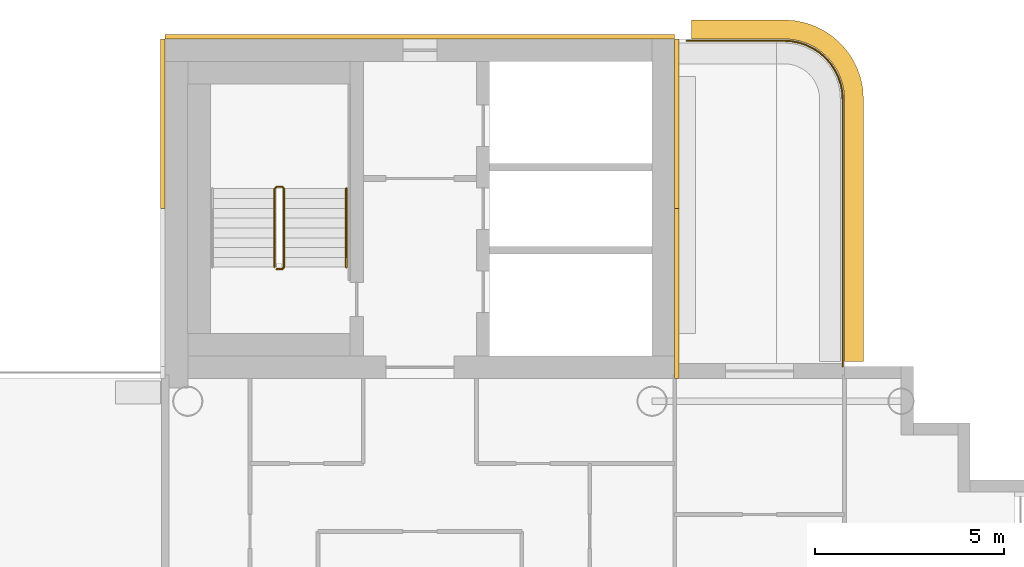
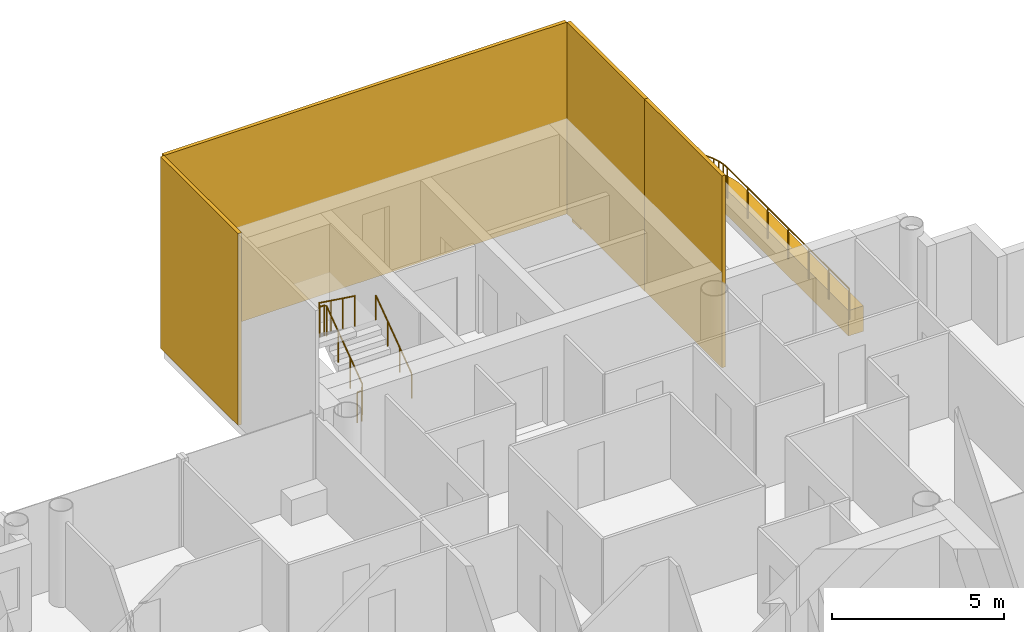
# One storey, part 17 of 18: 5 coverings, 3 railings.
"""IFC4 building model written with IfcOpenShell, lengths in metres."""

from ifc_helpers import new_model, si_unit, direction, frame, origin, origin_2d, place, context, subcontext, project, spatial, polyline, rectangle, circle, outline, extrude, material, layer, layer_set, type_object, element, save


model = new_model("IFC4")

# Units and contexts
model_context = context("Model", 3, precision=1e-05, world=origin(), true_north=direction((0.0, 1.0)))
body_context = subcontext(model_context, "Body", "Model", "MODEL_VIEW")
ifc_project = project(units=[si_unit("LENGTHUNIT", "METRE"), si_unit("AREAUNIT", "SQUARE_METRE"), si_unit("VOLUMEUNIT", "CUBIC_METRE"), si_unit("PLANEANGLEUNIT", "RADIAN"), si_unit("MASSUNIT", "GRAM", prefix="KILO")], contexts=[model_context])

# Site, building, storey
site_placement = place(None, origin())
site = spatial("IfcSite", under=ifc_project, at=site_placement, CompositionType="ELEMENT")
building_placement = place(site_placement, origin())
building = spatial("IfcBuilding", under=site, at=building_placement, Name="Ipe Terrace Towers", CompositionType="ELEMENT")
storey_placement = place(building_placement, frame((0.0, 0.0, 219.800048828125)))
storey = spatial("IfcBuildingStorey", under=building, at=storey_placement, Name="L61", CompositionType="ELEMENT", Elevation=219.800048828125)

# Railing
ifc_material_1 = material(Name="Stainless steel S316", Category="steel")
railing_type_1 = type_object("IfcRailingType", Name="GUARD 1100", PredefinedType="BALUSTRADE", material=ifc_material_1)
railing_1_placement = place(storey_placement, frame((47.199951171875, 7.070068359375, -0.02001953125)))
element("IfcRailing", 1, at=railing_1_placement, inside=storey, type_object=railing_type_1, Name="guard", PredefinedType="BALUSTRADE", context=body_context, shape_type="SweptSolid", body=[
    extrude(circle(Radius=0.02392578125, at=origin_2d()), frame((0.0, 0.0, 1.076171875), z_axis=(0.0, 1.0, 0.0), x_axis=(-1.0, 0.0, 0.0)), (0.0, 0.0, 1.0), 7.077880859375),
    extrude(circle(Radius=0.02392578125, at=origin_2d()), frame((0.0, 7.077880859375, 1.076171875), z_axis=(-0.063270109204, 0.997996439513, 0.0), x_axis=(-0.997996439513, -0.063270109204, 0.0)), (0.0, 0.0, 1.0), 0.20458984375),
    extrude(circle(Radius=0.02392578125, at=origin_2d()), frame((-0.012939453125, 7.281982421875, 1.076171875), z_axis=(-0.197272615832, 0.980348670139, 0.0), x_axis=(-0.980348670139, -0.197272615832, 0.0)), (0.0, 0.0, 1.0), 0.202880859375),
    extrude(circle(Radius=0.02392578125, at=origin_2d()), frame((-0.052978515625, 7.48095703125, 1.076171875), z_axis=(-0.320562904618, 0.947227229435, 0.0), x_axis=(-0.947227229435, -0.320562904618, 0.0)), (0.0, 0.0, 1.0), 0.20263671875),
    extrude(circle(Radius=0.02392578125, at=origin_2d()), frame((-0.117919921875, 7.6728515625, 1.076171875), z_axis=(-0.443364567466, 0.896341374877, 0.0), x_axis=(-0.896341374877, -0.443364567466, 0.0)), (0.0, 0.0, 1.0), 0.203125),
    extrude(circle(Radius=0.02392578125, at=origin_2d()), frame((-0.2080078125, 7.85498046875, 1.076171875), z_axis=(-0.552753344103, 0.833344910936, 0.0), x_axis=(-0.833344910936, -0.552753344103, 0.0)), (0.0, 0.0, 1.0), 0.20263671875),
    extrude(circle(Radius=0.02392578125, at=origin_2d()), frame((-0.320068359375, 8.02392578125, 1.076171875), z_axis=(-0.660464863827, 0.750856952854, 0.0), x_axis=(-0.750856952854, -0.660464863827, 0.0)), (0.0, 0.0, 1.0), 0.20263671875),
    extrude(circle(Radius=0.02392578125, at=origin_2d()), frame((-0.453857421875, 8.176025390625, 1.076171875), z_axis=(-0.750856952854, 0.660464863827, 0.0), x_axis=(-0.660464863827, -0.750856952854, 0.0)), (0.0, 0.0, 1.0), 0.20263671875),
    extrude(circle(Radius=0.02392578125, at=origin_2d()), frame((-0.60595703125, 8.309814453125, 1.076171875), z_axis=(-0.833344910936, 0.552753344103, 0.0), x_axis=(-0.552753344103, -0.833344910936, 0.0)), (0.0, 0.0, 1.0), 0.20263671875),
    extrude(circle(Radius=0.02392578125, at=origin_2d()), frame((-0.77490234375, 8.421875, 1.076171875), z_axis=(-0.896341374877, 0.443364567466, 0.0), x_axis=(-0.443364567466, -0.896341374877, 0.0)), (0.0, 0.0, 1.0), 0.203125),
    extrude(circle(Radius=0.02392578125, at=origin_2d()), frame((-0.95703125, 8.511962890625, 1.076171875), z_axis=(-0.947227229435, 0.320562904618, 0.0), x_axis=(-0.320562904618, -0.947227229435, 0.0)), (0.0, 0.0, 1.0), 0.20263671875),
    extrude(circle(Radius=0.02392578125, at=origin_2d()), frame((-1.14892578125, 8.576904296875, 1.076171875), z_axis=(-0.980348670139, 0.197272615832, 0.0), x_axis=(-0.197272615832, -0.980348670139, 0.0)), (0.0, 0.0, 1.0), 0.202880859375),
    extrude(circle(Radius=0.02392578125, at=origin_2d()), frame((-1.347900390625, 8.616943359375, 1.076171875), z_axis=(-0.997996439513, 0.063270109204, 0.0), x_axis=(-0.063270109204, -0.997996439513, 0.0)), (0.0, 0.0, 1.0), 0.20458984375),
    extrude(circle(Radius=0.02392578125, at=origin_2d()), frame((-1.552001953125, 8.6298828125, 1.076171875), z_axis=(-1.0, 0.0, 0.0), x_axis=(0.0, -1.0, 0.0)), (0.0, 0.0, 1.0), 2.577880859375),
    extrude(circle(Radius=0.02099609375, at=origin_2d()), origin(), (0.0, 0.0, 1.0), 1.052001953125),
    extrude(circle(Radius=0.02099609375, at=origin_2d()), frame((0.0, 1.1796875, 0.0)), (0.0, 0.0, 1.0), 1.052001953125),
    extrude(circle(Radius=0.02099609375, at=origin_2d()), frame((0.0, 2.359375, 0.0)), (0.0, 0.0, 1.0), 1.052001953125),
    extrude(circle(Radius=0.02099609375, at=origin_2d()), frame((0.0, 3.5390625, 0.0)), (0.0, 0.0, 1.0), 1.052001953125),
    extrude(circle(Radius=0.02099609375, at=origin_2d()), frame((0.0, 4.718505859375, 0.0)), (0.0, 0.0, 1.0), 1.052001953125),
    extrude(circle(Radius=0.02099609375, at=origin_2d()), frame((0.0, 5.898193359375, 0.0)), (0.0, 0.0, 1.0), 1.052001953125),
    extrude(circle(Radius=0.02099609375, at=origin_2d()), frame((0.0, 7.077880859375, 0.0)), (0.0, 0.0, 1.0), 1.052001953125),
    extrude(circle(Radius=0.02099609375, at=origin_2d()), frame((-0.012939453125, 7.281982421875, 0.0)), (0.0, 0.0, 1.0), 1.052001953125),
    extrude(circle(Radius=0.02099609375, at=origin_2d()), frame((-0.052978515625, 7.48095703125, 0.0)), (0.0, 0.0, 1.0), 1.052001953125),
    extrude(circle(Radius=0.02099609375, at=origin_2d()), frame((-0.117919921875, 7.6728515625, 0.0)), (0.0, 0.0, 1.0), 1.052001953125),
    extrude(circle(Radius=0.02099609375, at=origin_2d()), frame((-0.2080078125, 7.85498046875, 0.0)), (0.0, 0.0, 1.0), 1.052001953125),
    extrude(circle(Radius=0.02099609375, at=origin_2d()), frame((-0.320068359375, 8.02392578125, 0.0)), (0.0, 0.0, 1.0), 1.052001953125),
    extrude(circle(Radius=0.02099609375, at=origin_2d()), frame((-0.453857421875, 8.176025390625, 0.0)), (0.0, 0.0, 1.0), 1.052001953125),
    extrude(circle(Radius=0.02099609375, at=origin_2d()), frame((-0.60595703125, 8.309814453125, 0.0)), (0.0, 0.0, 1.0), 1.052001953125),
    extrude(circle(Radius=0.02099609375, at=origin_2d()), frame((-0.77490234375, 8.421875, 0.0)), (0.0, 0.0, 1.0), 1.052001953125),
    extrude(circle(Radius=0.02099609375, at=origin_2d()), frame((-0.95703125, 8.511962890625, 0.0)), (0.0, 0.0, 1.0), 1.052001953125),
    extrude(circle(Radius=0.02099609375, at=origin_2d()), frame((-1.14892578125, 8.576904296875, 0.0)), (0.0, 0.0, 1.0), 1.052001953125),
    extrude(circle(Radius=0.02099609375, at=origin_2d()), frame((-1.347900390625, 8.616943359375, 0.0)), (0.0, 0.0, 1.0), 1.052001953125),
    extrude(circle(Radius=0.02099609375, at=origin_2d()), frame((-1.552001953125, 8.6298828125, 0.0)), (0.0, 0.0, 1.0), 1.052001953125),
    extrude(circle(Radius=0.02099609375, at=origin_2d()), frame((-2.411376953125, 8.6298828125, 0.0)), (0.0, 0.0, 1.0), 1.052001953125),
    extrude(circle(Radius=0.02099609375, at=origin_2d()), frame((-3.2705078125, 8.6298828125, 0.0)), (0.0, 0.0, 1.0), 1.052001953125),
    extrude(circle(Radius=0.02099609375, at=origin_2d()), frame((-4.1298828125, 8.6298828125, 0.0)), (0.0, 0.0, 1.0), 1.052001953125),
])

# Coverings
ifc_material_2 = material(Name="Concrete C50/60 precast, buff finish", Category="concrete")
ifc_layer_1 = layer(ifc_material_2, 0.1201171875)
ifc_layer_set_1 = layer_set([ifc_layer_1], Name="STONE CORE CLADDING 120")
covering_type_1 = type_object("IfcCoveringType", Name="STONE CORE CLADDING 120", PredefinedType="CLADDING", material=ifc_layer_set_1)
for number, where, z_axis, x_axis, name in (
    (2, (29.18994140625, 13.5, 0.0), (0.0, 0.0, 1.0), (0.0, -1.0, 0.0), "stone core cladding"),
    (3, (42.81005859375, 9.0, 0.0), (0.0, 0.0, 1.0), (0.0, 1.0, 0.0), "stone core cladding"),
    (4, (42.81005859375, 13.5, 0.0), (0.0, 0.0, 1.0), (0.0, 1.0, 0.0), "stone core cladding"),
):
    element("IfcCovering", number, at=place(storey_placement, frame(where, z_axis=z_axis, x_axis=x_axis)), inside=storey, type_object=covering_type_1, Name=name, PredefinedType="CLADDING", context=body_context, shape_type="SweptSolid", body=[
        extrude(rectangle(XDim=4.5, YDim=0.1201171875, at=origin_2d()), origin(), (0.0, 0.0, 1.0), 6.800048828125),
    ])
covering_1_placement = place(storey_placement, frame((36.0, 15.81005859375, 0.0), z_axis=(0.0, 0.0, 1.0), x_axis=(-1.0, 0.0, 0.0)))
element("IfcCovering", 5, at=covering_1_placement, inside=storey, type_object=covering_type_1, Name="stone core cladding", PredefinedType="CLADDING", context=body_context, shape_type="SweptSolid", body=[
    extrude(rectangle(XDim=13.5, YDim=0.1201171875, at=origin_2d()), origin(), (0.0, 0.0, 1.0), 6.800048828125),
])
ifc_material_3 = material(Name="Concrete C50/60 precast, buff finish", Category="concrete")
ifc_layer_2 = layer(ifc_material_3, 0.5)
ifc_layer_set_2 = layer_set([ifc_layer_2], Name="STONE EDGE BAND 500 x 900")
covering_type_2 = type_object("IfcCoveringType", Name="STONE EDGE BAND 500 x 900", PredefinedType="CLADDING", material=ifc_layer_set_2)
covering_2_placement = place(storey_placement, frame((0.0, 0.0, -0.719970703125)))
element("IfcCovering", 6, at=covering_2_placement, inside=storey, type_object=covering_type_2, Name="stone edge band", PredefinedType="CLADDING", context=body_context, shape_type="SweptSolid", body=[
    extrude(outline(polyline([(47.75, 14.14990234375), (47.7490234375, 14.18310546875), (47.735107421875, 14.39208984375), (47.72705078125, 14.4560546875), (47.68603515625, 14.662109375), (47.6689453125, 14.72509765625), (47.60205078125, 14.923095703125), (47.576904296875, 14.98291015625), (47.48388671875, 15.1708984375), (47.450927734375, 15.22802734375), (47.3349609375, 15.402099609375), (47.294921875, 15.4541015625), (47.156982421875, 15.611083984375), (47.111083984375, 15.656982421875), (46.9541015625, 15.794921875), (46.902099609375, 15.8349609375), (46.72802734375, 15.950927734375), (46.6708984375, 15.98388671875), (46.48291015625, 16.076904296875), (46.423095703125, 16.10205078125), (46.22509765625, 16.1689453125), (46.162109375, 16.18603515625), (45.9560546875, 16.22705078125), (45.89208984375, 16.235107421875), (45.68310546875, 16.2490234375), (45.64990234375, 16.25), (43.199951171875, 16.25), (43.199951171875, 15.75), (45.64990234375, 15.75), (45.85888671875, 15.736083984375), (46.06396484375, 15.695068359375), (46.261962890625, 15.6279296875), (46.449951171875, 15.535888671875), (46.6240234375, 15.4189453125), (46.781005859375, 15.281005859375), (46.9189453125, 15.1240234375), (47.035888671875, 14.949951171875), (47.1279296875, 14.761962890625), (47.195068359375, 14.56396484375), (47.236083984375, 14.35888671875), (47.25, 14.14990234375), (47.25, 7.199951171875), (47.75, 7.199951171875), (47.75, 14.14990234375)])), origin(), (0.0, 0.0, 1.0), 0.89990234375),
])

# Railings
ifc_material_4 = material(Name="Steel S355", Category="steel")
railing_type_2 = type_object("IfcRailingType", Name="Stair guard 1100", PredefinedType="GUARDRAIL", material=ifc_material_4)
railing_2_placement = place(storey_placement, frame((32.199951171875, 9.64990234375, 0.0)))
element("IfcRailing", 7, at=railing_2_placement, inside=storey, type_object=railing_type_2, Name="L61 T2-ST1 stair guard 1", PredefinedType="GUARDRAIL", context=body_context, shape_type="SweptSolid", body=[
    extrude(circle(Radius=0.02392578125, at=origin_2d()), frame((0.0, 0.0, 1.076171875), z_axis=(1.0, 0.0, 0.0), x_axis=(0.0, 1.0, 0.0)), (0.0, 0.0, 1.0), 0.150146484375),
    extrude(circle(Radius=0.02392578125, at=origin_2d()), frame((0.150146484375, 0.0, 1.076171875), z_axis=(0.247173786771, 0.248385422981, 0.936594790069), x_axis=(-0.708833529934, 0.705375805398, 0.0)), (0.0, 0.0, 1.0), 0.201416015625),
    extrude(circle(Radius=0.02392578125, at=origin_2d()), frame((0.199951171875, 0.050048828125, 1.2646484375), z_axis=(0.0, 0.809023421508, 0.587776406001), x_axis=(-1.0, 0.0, 0.0)), (0.0, 0.0, 1.0), 2.571044921875),
    extrude(circle(Radius=0.02392578125, at=origin_2d()), frame((0.199951171875, 2.130126953125, 2.77587890625), z_axis=(-0.705375805398, 0.708833529934, 0.0), x_axis=(-0.708833529934, -0.705375805398, 0.0)), (0.0, 0.0, 1.0), 0.070556640625),
    extrude(circle(Radius=0.02392578125, at=origin_2d()), frame((0.150146484375, 2.18017578125, 2.77587890625), z_axis=(-1.0, 0.0, 0.0), x_axis=(0.0, -1.0, 0.0)), (0.0, 0.0, 1.0), 0.150146484375),
    extrude(circle(Radius=0.02392578125, at=origin_2d()), frame((0.0, 2.18017578125, 2.77587890625), z_axis=(-0.248029566107, -0.248029566107, 0.936462849596), x_axis=(0.707106781187, -0.707106781187, 0.0)), (0.0, 0.0, 1.0), 0.201904296875),
    extrude(circle(Radius=0.02392578125, at=origin_2d()), frame((-0.050048828125, 2.130126953125, 2.96484375), z_axis=(0.0, -0.809068575486, 0.587714250432), x_axis=(1.0, 0.0, 0.0)), (0.0, 0.0, 1.0), 2.571044921875),
    extrude(circle(Radius=0.02099609375, at=origin_2d()), origin(), (0.0, 0.0, 1.0), 1.052001953125),
    extrude(circle(Radius=0.02099609375, at=origin_2d()), frame((0.150146484375, 0.0, 0.0)), (0.0, 0.0, 1.0), 1.052001953125),
    extrude(circle(Radius=0.02099609375, at=origin_2d()), frame((0.199951171875, 0.050048828125, 0.188720703125)), (0.0, 0.0, 1.0), 1.052001953125),
    extrude(circle(Radius=0.02099609375, at=origin_2d()), frame((0.199951171875, 0.743408203125, 0.6923828125)), (0.0, 0.0, 1.0), 1.052001953125),
    extrude(circle(Radius=0.02099609375, at=origin_2d()), frame((0.199951171875, 1.436767578125, 1.1962890625)), (0.0, 0.0, 1.0), 1.052001953125),
    extrude(circle(Radius=0.02099609375, at=origin_2d()), frame((0.199951171875, 2.130126953125, 1.699951171875)), (0.0, 0.0, 1.0), 1.052001953125),
    extrude(circle(Radius=0.02099609375, at=origin_2d()), frame((0.150146484375, 2.18017578125, 1.699951171875)), (0.0, 0.0, 1.0), 1.052001953125),
    extrude(circle(Radius=0.02099609375, at=origin_2d()), frame((0.0, 2.18017578125, 1.699951171875)), (0.0, 0.0, 1.0), 1.052001953125),
    extrude(circle(Radius=0.02099609375, at=origin_2d()), frame((-0.050048828125, 2.130126953125, 1.888916015625)), (0.0, 0.0, 1.0), 1.052001953125),
    extrude(circle(Radius=0.02099609375, at=origin_2d()), frame((-0.050048828125, 1.436767578125, 2.392578125)), (0.0, 0.0, 1.0), 1.052001953125),
    extrude(circle(Radius=0.02099609375, at=origin_2d()), frame((-0.050048828125, 0.743408203125, 2.896240234375)), (0.0, 0.0, 1.0), 1.052001953125),
    extrude(circle(Radius=0.02099609375, at=origin_2d()), frame((-0.050048828125, 0.050048828125, 3.39990234375)), (0.0, 0.0, 1.0), 1.052001953125),
])
ifc_material_5 = material(Name="Stainless steel grade 304", Category="steel")
railing_type_3 = type_object("IfcRailingType", Name="Stair handrail 900", PredefinedType="HANDRAIL", material=ifc_material_5)
railing_3_placement = place(storey_placement, frame((34.050048828125, 9.699951171875, 0.188720703125)))
element("IfcRailing", 8, at=railing_3_placement, inside=storey, type_object=railing_type_3, Name="L61 T2-ST1 stair handrail 1", PredefinedType="HANDRAIL", context=body_context, shape_type="SweptSolid", body=[
    extrude(circle(Radius=0.02392578125, at=origin_2d()), frame((0.0, 0.0, 0.8759765625), z_axis=(0.0, 0.809023421508, 0.587776406001), x_axis=(-1.0, 0.0, 0.0)), (0.0, 0.0, 1.0), 2.571044921875),
    extrude(circle(Radius=0.02099609375, at=origin_2d()), origin(), (0.0, 0.0, 1.0), 0.851806640625),
    extrude(circle(Radius=0.02099609375, at=origin_2d()), frame((0.0, 0.693359375, 0.503662109375)), (0.0, 0.0, 1.0), 0.851806640625),
    extrude(circle(Radius=0.02099609375, at=origin_2d()), frame((0.0, 1.38671875, 1.007568359375)), (0.0, 0.0, 1.0), 0.851806640625),
    extrude(circle(Radius=0.02099609375, at=origin_2d()), frame((0.0, 2.080078125, 1.51123046875)), (0.0, 0.0, 1.0), 0.851806640625),
])

save(model, "model.ifc")
